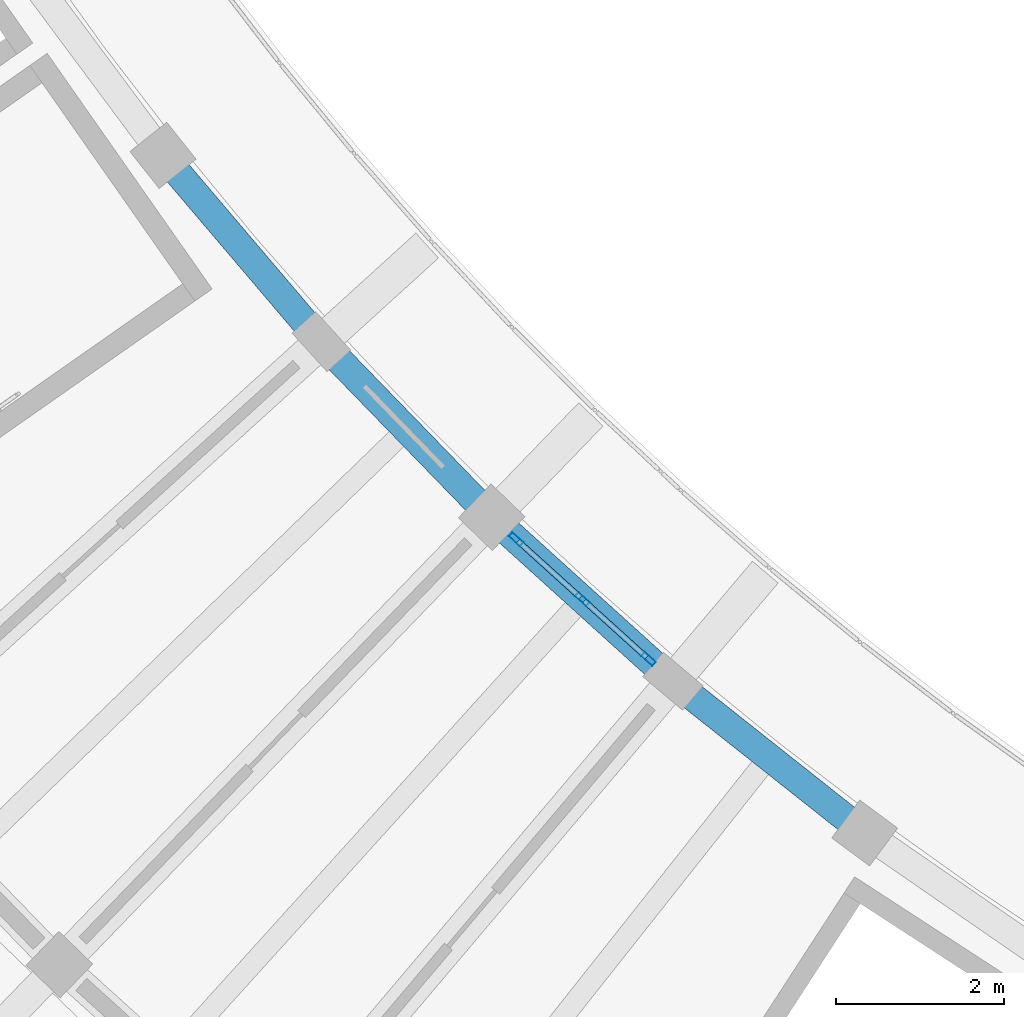
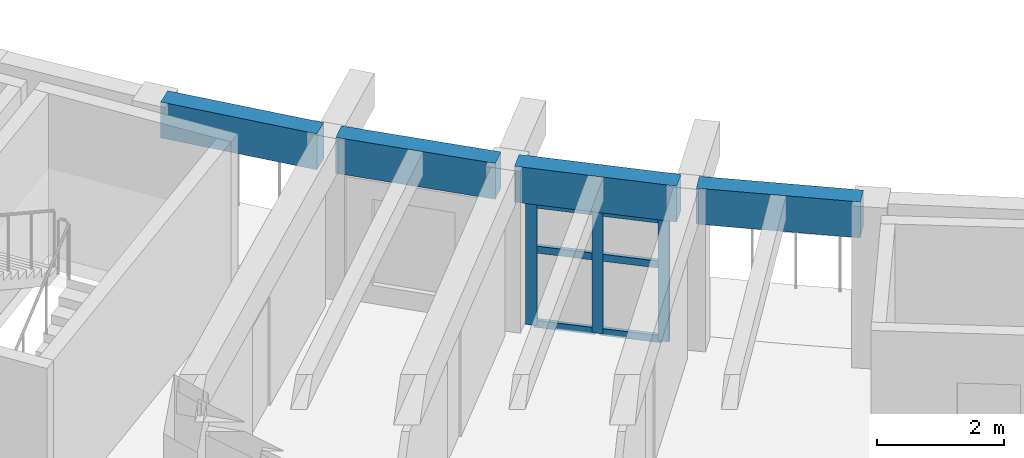
# One storey, part 5 of 81: 9 members, 4 beams, 1 element without a shape of its own.
"""IFC4 building model written with IfcOpenShell, lengths in metres."""

import ifcopenshell
import ifcopenshell.guid

model = None  # the IFC model being written
_history = None  # IfcOwnerHistory: only IFC2X3 demands one
_inside = {}  # id of a spatial element -> (the spatial element, [elements in it])
_under = {}  # id of a project, library or spatial element -> (it, [spatial elements below it])
_declared = {}  # id of a project -> (the project, [libraries it declares])
_typed = {}  # id of a type object -> (the type object, [elements of that type])
_made_of = {}  # id of a material, layer set ... -> (it, [elements and type objects made of it])


def new_model(schema):
    """Start an empty IFC model of exactly this schema.

    Asked for "IFC4X3", IfcOpenShell would pick the latest addendum, in which some entities
    have other attributes; the version numbers below select the first issue.
    IFC2X3 requires an IfcOwnerHistory on every rooted entity: one is made here for all.
    """
    global model, _history
    if schema == "IFC4X3":
        model = ifcopenshell.file(schema_version=(4, 3, 0, 0))
    else:
        model = ifcopenshell.file(schema=schema)
    _inside.clear()
    _under.clear()
    _declared.clear()
    _typed.clear()
    _made_of.clear()
    _history = None
    if model.schema == "IFC2X3":
        org = make("IfcOrganization", Name="unknown")
        user = make(
            "IfcPersonAndOrganization",
            ThePerson=make("IfcPerson", FamilyName="unknown"),
            TheOrganization=org,
        )
        app = make(
            "IfcApplication",
            ApplicationDeveloper=org,
            Version="unknown",
            ApplicationFullName="unknown",
            ApplicationIdentifier="unknown",
        )
        _history = make(
            "IfcOwnerHistory",
            OwningUser=user,
            OwningApplication=app,
            ChangeAction="ADDED",
            CreationDate=0,
        )
    return model


def make(cls, **values):
    """One entity of the class cls with the attributes given. An attribute that is None is left unset."""
    return model.create_entity(
        cls, **{name: value for name, value in values.items() if value is not None}
    )


def rooted(cls, **values):
    """An entity with a GlobalId (a new one), such as an element, a storey or a relation."""
    return make(cls, GlobalId=ifcopenshell.guid.new(), OwnerHistory=_history, **values)


def si_unit(unit_type, name, prefix=None):
    """IfcSIUnit, for example si_unit("LENGTHUNIT", "METRE", prefix="MILLI")."""
    return make("IfcSIUnit", UnitType=unit_type, Prefix=prefix, Name=name)


def assignment(units):
    """IfcUnitAssignment: the units of a project."""
    return None if units is None else make("IfcUnitAssignment", Units=units)


def point(xyz):
    """IfcCartesianPoint."""
    return None if xyz is None else make("IfcCartesianPoint", Coordinates=xyz)


def direction(xyz):
    """IfcDirection."""
    return None if xyz is None else make("IfcDirection", DirectionRatios=xyz)


def frame(location, z_axis=None, x_axis=None):
    """IfcAxis2Placement3D, a coordinate frame: its origin and axes. An axis left out is left unset."""
    return make(
        "IfcAxis2Placement3D",
        Location=point(location),
        Axis=direction(z_axis),
        RefDirection=direction(x_axis),
    )


def frame_2d(location, x_axis=None):
    """IfcAxis2Placement2D, a coordinate frame in the plane: its origin and x axis."""
    return make(
        "IfcAxis2Placement2D", Location=point(location), RefDirection=direction(x_axis)
    )


def origin():
    """The frame at (0, 0, 0) with its axes left unset."""
    return frame((0.0, 0.0, 0.0))


def origin_2d():
    """The frame at (0, 0) in the plane with its x axis left unset."""
    return frame_2d((0.0, 0.0))


def place(relative_to, where):
    """IfcLocalPlacement: puts the frame where relative to a parent placement (None: the world)."""
    return make(
        "IfcLocalPlacement", PlacementRelTo=relative_to, RelativePlacement=where
    )


def context(
    kind, dimensions, precision=None, world=None, true_north=None, identifier=None
):
    """IfcGeometricRepresentationContext, for example the 3D "Model" context."""
    return make(
        "IfcGeometricRepresentationContext",
        ContextIdentifier=identifier,
        ContextType=kind,
        CoordinateSpaceDimension=dimensions,
        Precision=precision,
        WorldCoordinateSystem=world,
        TrueNorth=true_north,
    )


def subcontext(parent, identifier, kind, view, scale=None):
    """IfcGeometricRepresentationSubContext, for example "Body" below "Model"."""
    return make(
        "IfcGeometricRepresentationSubContext",
        ContextIdentifier=identifier,
        ContextType=kind,
        ParentContext=parent,
        TargetScale=scale,
        TargetView=view,
    )


def project(units=None, contexts=None):
    """IfcProject with its units and contexts."""
    return rooted(
        "IfcProject",
        Name="project",
        RepresentationContexts=contexts,
        UnitsInContext=assignment(units),
    )


def spatial(cls, under=None, at=None, **own):
    """A site, building, storey or space (cls), placed at a placement, below another one or the project."""
    s = rooted(cls, ObjectPlacement=at, **own)
    if under is not None:
        _under.setdefault(under.id(), (under, []))[1].append(s)
    return s


def profile(cls, at=None, kind="AREA", **sizes):
    """A parametric profile (cls). Its sizes go by their IFC names, for example OverallWidth=200.0."""
    return make(cls, ProfileType=kind, Position=at, **sizes)


def rectangle(**sizes):
    """IfcRectangleProfileDef."""
    return profile("IfcRectangleProfileDef", **sizes)


def hollow_rectangle(**sizes):
    """IfcRectangleHollowProfileDef."""
    return profile("IfcRectangleHollowProfileDef", **sizes)


def extrude(swept, where, along, depth):
    """IfcExtrudedAreaSolid: the profile swept, set in the frame where, extruded along a direction by depth."""
    return make(
        "IfcExtrudedAreaSolid",
        SweptArea=swept,
        Position=where,
        ExtrudedDirection=direction(along),
        Depth=depth,
    )


def shape(context_of_items, identifier, shape_type, items):
    """IfcShapeRepresentation: the items that make up one representation, for example the "Body"."""
    return make(
        "IfcShapeRepresentation",
        ContextOfItems=context_of_items,
        RepresentationIdentifier=identifier,
        RepresentationType=shape_type,
        Items=items,
    )


def material(Name=None, Category=None):
    """IfcMaterial."""
    return make("IfcMaterial", Name=Name, Category=Category)


def material_profile(
    of_material, cross_section, Name=None, Category=None, Priority=None
):
    """IfcMaterialProfile: a cross section and its material."""
    return make(
        "IfcMaterialProfile",
        Name=Name,
        Material=of_material,
        Profile=cross_section,
        Priority=Priority,
        Category=Category,
    )


def profile_set(profiles, Name=None, composite=None):
    """IfcMaterialProfileSet."""
    return make(
        "IfcMaterialProfileSet",
        Name=Name,
        MaterialProfiles=profiles,
        CompositeProfile=composite,
    )


def made_of(thing, what):
    """Note that an element or type object is made of a material, layer set ...; save() writes the relation."""
    if what is not None:
        _made_of.setdefault(what.id(), (what, []))[1].append(thing)
    return thing


def type_object(cls, material=None, **own):
    """A type object (cls), such as IfcWallType, which elements share."""
    return made_of(rooted(cls, **own), material)


def element(
    cls,
    number,
    at=None,
    inside=None,
    cuts=None,
    type_object=None,
    material=None,
    context=None,
    identifier="Body",
    shape_type=None,
    held_by="IfcProductDefinitionShape",
    body=None,
    shapes=None,
    **own,
):
    """One element of the class cls, such as IfcWall. Its Tag is "e" and its number.

    at: its placement. inside: the storey or other place that contains it. cuts: it is an
    opening in that element (IfcRelVoidsElement). A single representation is given by context,
    identifier, shape_type and body (its items); several are given by shapes. held_by: the class
    of the entity that holds the representations. save() writes the other relations.
    """
    e = rooted(cls, Tag="e%d" % number, ObjectPlacement=at, **own)
    if body is not None:
        shapes = [shape(context, identifier, shape_type, body)]
    if shapes is not None:
        e.Representation = make(held_by, Representations=shapes)
    if inside is not None:
        _inside.setdefault(inside.id(), (inside, []))[1].append(e)
    if cuts is not None:
        rooted(
            "IfcRelVoidsElement", RelatingBuildingElement=cuts, RelatedOpeningElement=e
        )
    if type_object is not None:
        _typed.setdefault(type_object.id(), (type_object, []))[1].append(e)
    return made_of(e, material)


def aggregate(whole, parts):
    """IfcRelAggregates: a whole, such as a stair, and the parts it consists of."""
    return rooted("IfcRelAggregates", RelatingObject=whole, RelatedObjects=parts)


def save(model, path):
    """Write the relations noted so far, then the file.

    IfcRelAggregates (storeys below a building ...), IfcRelContainedInSpatialStructure (elements
    in a storey), IfcRelDefinesByType, IfcRelAssociatesMaterial and IfcRelDeclares: one each for
    every whole, place, type object, material and project.
    """
    for whole, parts in _under.values():
        aggregate(whole, parts)
    for where, things in _inside.values():
        rooted(
            "IfcRelContainedInSpatialStructure",
            RelatedElements=things,
            RelatingStructure=where,
        )
    for kind, things in _typed.values():
        rooted("IfcRelDefinesByType", RelatedObjects=things, RelatingType=kind)
    for what, things in _made_of.values():
        rooted("IfcRelAssociatesMaterial", RelatedObjects=things, RelatingMaterial=what)
    for by, libraries in _declared.values():
        rooted("IfcRelDeclares", RelatingContext=by, RelatedDefinitions=libraries)
    model.write(path)


model = new_model("IFC4")

# Units and contexts
model_context = context("Model", 3, precision=1e-05, world=origin(), true_north=direction((0.0, 1.0)))
body_context = subcontext(model_context, "Body", "Model", "MODEL_VIEW")
ifc_project = project(units=[si_unit("LENGTHUNIT", "METRE"), si_unit("AREAUNIT", "SQUARE_METRE"), si_unit("VOLUMEUNIT", "CUBIC_METRE"), si_unit("PLANEANGLEUNIT", "RADIAN"), si_unit("MASSUNIT", "GRAM", prefix="KILO")], contexts=[model_context])

# Site, building, storey
site_placement = place(None, origin())
site = spatial("IfcSite", under=ifc_project, at=site_placement, CompositionType="ELEMENT")
building_placement = place(site_placement, origin())
building = spatial("IfcBuilding", under=site, at=building_placement, Name="Tanwirah Colonnade Gardens", CompositionType="ELEMENT")
storey_placement = place(building_placement, frame((0.0, 0.0, 8.840087890625)))
storey = spatial("IfcBuildingStorey", under=building, at=storey_placement, Name="L02", CompositionType="ELEMENT", Elevation=8.840087890625)

# Curtain wall, members
ifc_material_1 = material(Name="Bronze-anodised aluminium and solar-control low-E glass", Category="aluminium")
curtain_wall_type = type_object("IfcCurtainWallType", Name="CW-GDN", PredefinedType="NOTDEFINED", material=ifc_material_1)
curtain_wall_placement = place(storey_placement, origin())
curtain_wall = element("IfcCurtainWall", 1, at=curtain_wall_placement, inside=storey, type_object=curtain_wall_type, Name="Curtain Wall CW-C-L02-IN-08", PredefinedType="NOTDEFINED")
ifc_material_2 = material(Name="Bronze-anodised aluminium", Category="aluminium")
ifc_material_profile_1 = material_profile(ifc_material_2, hollow_rectangle(XDim=0.06494140625, YDim=0.179931640625, WallThickness=0.00390625, at=origin_2d()), Name="CW-MUL 65x180x4")
ifc_profile_set_1 = profile_set([ifc_material_profile_1], Name="Bronze-anodised aluminium")
member_type_1 = type_object("IfcMemberType", Name="CWM-65x180", PredefinedType="MULLION", material=ifc_profile_set_1)
member_1_placement = place(storey_placement, frame((34.41357421875, 32.261962890625, 0.0), z_axis=(0.0, 0.0, 1.0), x_axis=(0.670750964954, 0.741682643058, 0.0)))
member_1 = element("IfcMember", 2, at=member_1_placement, type_object=member_type_1, Name="CW-GDN mullion 1", PredefinedType="MULLION", context=body_context, shape_type="SweptSolid", body=[
    extrude(hollow_rectangle(XDim=0.06494140625, YDim=0.179931640625, WallThickness=0.00390625, at=origin_2d()), origin(), (0.0, 0.0, 1.0), 2.35498046875),
])
member_2_placement = place(storey_placement, frame((35.201171875, 31.5498046875, 0.0), z_axis=(0.0, 0.0, 1.0), x_axis=(0.670750964954, 0.741682643058, 0.0)))
member_2 = element("IfcMember", 3, at=member_2_placement, type_object=member_type_1, Name="CW-GDN mullion 2", PredefinedType="MULLION", context=body_context, shape_type="SweptSolid", body=[
    extrude(hollow_rectangle(XDim=0.06494140625, YDim=0.179931640625, WallThickness=0.00390625, at=origin_2d()), origin(), (0.0, 0.0, 1.0), 2.35498046875),
])
member_3_placement = place(storey_placement, frame((35.98876953125, 30.837646484375, 0.0), z_axis=(0.0, 0.0, 1.0), x_axis=(0.670750964954, 0.741682643058, 0.0)))
member_3 = element("IfcMember", 4, at=member_3_placement, type_object=member_type_1, Name="CW-GDN mullion 3", PredefinedType="MULLION", context=body_context, shape_type="SweptSolid", body=[
    extrude(hollow_rectangle(XDim=0.06494140625, YDim=0.179931640625, WallThickness=0.00390625, at=origin_2d()), origin(), (0.0, 0.0, 1.0), 2.35498046875),
])
ifc_material_profile_2 = material_profile(ifc_material_2, hollow_rectangle(XDim=0.06494140625, YDim=0.135009765625, WallThickness=0.00390625, at=origin_2d()), Name="CW-TRN 65x135x4")
ifc_profile_set_2 = profile_set([ifc_material_profile_2], Name="Bronze-anodised aluminium")
member_type_2 = type_object("IfcMemberType", Name="CWT-65x135", PredefinedType="USERDEFINED", material=ifc_profile_set_2)
member_4_placement = place(storey_placement, frame((34.437744140625, 32.240234375, 0.032470703125), z_axis=(0.741611204244, -0.670829949942, 0.0), x_axis=(0.670829949942, 0.741611204244, 0.0)))
member_4 = element("IfcMember", 5, at=member_4_placement, type_object=member_type_2, Name="CW-GDN transom 1.1", ObjectType="TRANSOM", PredefinedType="USERDEFINED", context=body_context, shape_type="SweptSolid", body=[
    extrude(hollow_rectangle(XDim=0.06494140625, YDim=0.135009765625, WallThickness=0.00390625, at=origin_2d()), origin(), (0.0, 0.0, 1.0), 0.996826171875),
])
member_5_placement = place(storey_placement, frame((34.437744140625, 32.240234375, 1.4599609375), z_axis=(0.741611204244, -0.670829949942, 0.0), x_axis=(0.670829949942, 0.741611204244, 0.0)))
member_5 = element("IfcMember", 6, at=member_5_placement, type_object=member_type_2, Name="CW-GDN transom 1.2", ObjectType="TRANSOM", PredefinedType="USERDEFINED", context=body_context, shape_type="SweptSolid", body=[
    extrude(hollow_rectangle(XDim=0.06494140625, YDim=0.135009765625, WallThickness=0.00390625, at=origin_2d()), origin(), (0.0, 0.0, 1.0), 0.996826171875),
])
member_6_placement = place(storey_placement, frame((34.437744140625, 32.240234375, 2.322509765625), z_axis=(0.741611204244, -0.670829949942, 0.0), x_axis=(0.670829949942, 0.741611204244, 0.0)))
member_6 = element("IfcMember", 7, at=member_6_placement, type_object=member_type_2, Name="CW-GDN transom 1.3", ObjectType="TRANSOM", PredefinedType="USERDEFINED", context=body_context, shape_type="SweptSolid", body=[
    extrude(hollow_rectangle(XDim=0.06494140625, YDim=0.135009765625, WallThickness=0.00390625, at=origin_2d()), origin(), (0.0, 0.0, 1.0), 0.996826171875),
])
member_7_placement = place(storey_placement, frame((35.22509765625, 31.528076171875, 0.032470703125), z_axis=(0.741721390388, -0.67070811762, 0.0), x_axis=(0.67070811762, 0.741721390388, 0.0)))
member_7 = element("IfcMember", 8, at=member_7_placement, type_object=member_type_2, Name="CW-GDN transom 2.1", ObjectType="TRANSOM", PredefinedType="USERDEFINED", context=body_context, shape_type="SweptSolid", body=[
    extrude(hollow_rectangle(XDim=0.06494140625, YDim=0.135009765625, WallThickness=0.00390625, at=origin_2d()), origin(), (0.0, 0.0, 1.0), 0.9970703125),
])
member_8_placement = place(storey_placement, frame((35.22509765625, 31.528076171875, 1.4599609375), z_axis=(0.741721390388, -0.67070811762, 0.0), x_axis=(0.67070811762, 0.741721390388, 0.0)))
member_8 = element("IfcMember", 9, at=member_8_placement, type_object=member_type_2, Name="CW-GDN transom 2.2", ObjectType="TRANSOM", PredefinedType="USERDEFINED", context=body_context, shape_type="SweptSolid", body=[
    extrude(hollow_rectangle(XDim=0.06494140625, YDim=0.135009765625, WallThickness=0.00390625, at=origin_2d()), origin(), (0.0, 0.0, 1.0), 0.9970703125),
])
member_9_placement = place(storey_placement, frame((35.22509765625, 31.528076171875, 2.322509765625), z_axis=(0.741721390388, -0.67070811762, 0.0), x_axis=(0.67070811762, 0.741721390388, 0.0)))
member_9 = element("IfcMember", 10, at=member_9_placement, type_object=member_type_2, Name="CW-GDN transom 2.3", ObjectType="TRANSOM", PredefinedType="USERDEFINED", context=body_context, shape_type="SweptSolid", body=[
    extrude(hollow_rectangle(XDim=0.06494140625, YDim=0.135009765625, WallThickness=0.00390625, at=origin_2d()), origin(), (0.0, 0.0, 1.0), 0.9970703125),
])
aggregate(curtain_wall, [member_1, member_2, member_3, member_4, member_5, member_6, member_7, member_8, member_9])

# Beams
ifc_material_3 = material(Name="Precast concrete C40/50", Category="concrete")
ifc_material_profile_3 = material_profile(ifc_material_3, rectangle(XDim=0.330078125, YDim=0.68994140625, at=origin_2d()), Name="PC-SP 330x690")
ifc_profile_set_3 = profile_set([ifc_material_profile_3], Name="Precast concrete C40/50")
beam_type = type_object("IfcBeamType", Name="SP-PC280", PredefinedType="SPANDREL", material=ifc_profile_set_3)
beam_1_placement = place(storey_placement, frame((30.310302734375, 36.71484375, 2.760009765625), z_axis=(0.647811402053, -0.761800753065, 0.0), x_axis=(0.761800753065, 0.647811402053, 0.0)))
element("IfcBeam", 11, at=beam_1_placement, inside=storey, type_object=beam_type, Name="Block C L02 Circumferential Beam 6-R0", PredefinedType="SPANDREL", context=body_context, shape_type="SweptSolid", body=[
    extrude(rectangle(XDim=0.330078125, YDim=0.68994140625, at=origin_2d()), origin(), (0.0, 0.0, 1.0), 2.608642578125),
])
beam_2_placement = place(storey_placement, frame((32.20166015625, 34.505615234375, 2.760009765625), z_axis=(0.696262751108, -0.717787002822, 0.0), x_axis=(0.717787002822, 0.696262751108, 0.0)))
element("IfcBeam", 12, at=beam_2_placement, inside=storey, type_object=beam_type, Name="Block C L02 Circumferential Beam 7-R0", PredefinedType="SPANDREL", context=body_context, shape_type="SweptSolid", body=[
    extrude(rectangle(XDim=0.330078125, YDim=0.68994140625, at=origin_2d()), origin(), (0.0, 0.0, 1.0), 2.60888671875),
])
beam_3_placement = place(storey_placement, frame((34.233642578125, 32.4248046875, 2.760009765625), z_axis=(0.741686528432, -0.670746668678, 0.0), x_axis=(0.670746668678, 0.741686528432, 0.0)))
element("IfcBeam", 13, at=beam_3_placement, inside=storey, type_object=beam_type, Name="Block C L02 Circumferential Beam 8-R0", PredefinedType="SPANDREL", context=body_context, shape_type="SweptSolid", body=[
    extrude(rectangle(XDim=0.330078125, YDim=0.68994140625, at=origin_2d()), origin(), (0.0, 0.0, 1.0), 2.608642578125),
])
beam_4_placement = place(storey_placement, frame((36.3974609375, 30.481201171875, 2.760009765625), z_axis=(0.783945239852, -0.62082997746, 0.0), x_axis=(0.62082997746, 0.783945239852, 0.0)))
element("IfcBeam", 14, at=beam_4_placement, inside=storey, type_object=beam_type, Name="Block C L02 Circumferential Beam 9-R0", PredefinedType="SPANDREL", context=body_context, shape_type="SweptSolid", body=[
    extrude(rectangle(XDim=0.330078125, YDim=0.68994140625, at=origin_2d()), origin(), (0.0, 0.0, 1.0), 2.60888671875),
])

save(model, "model.ifc")
